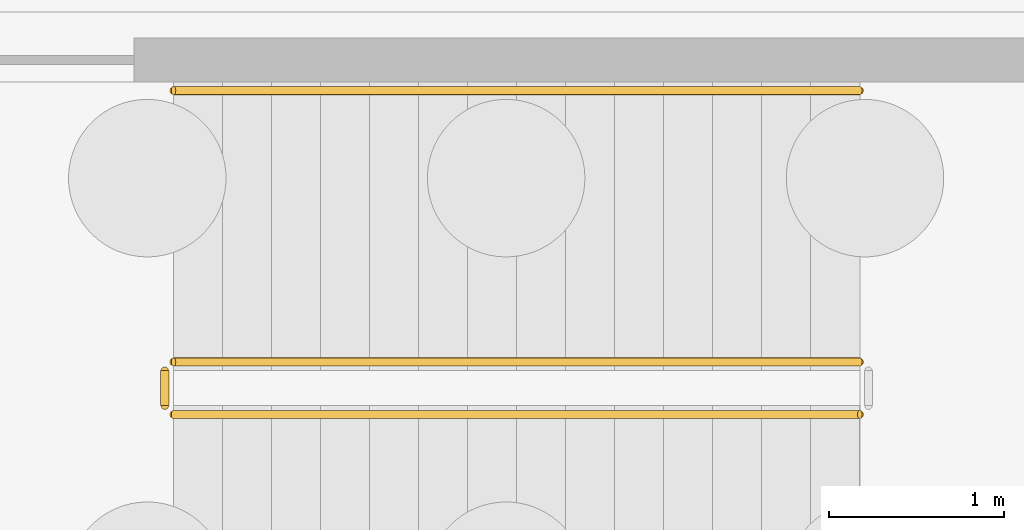
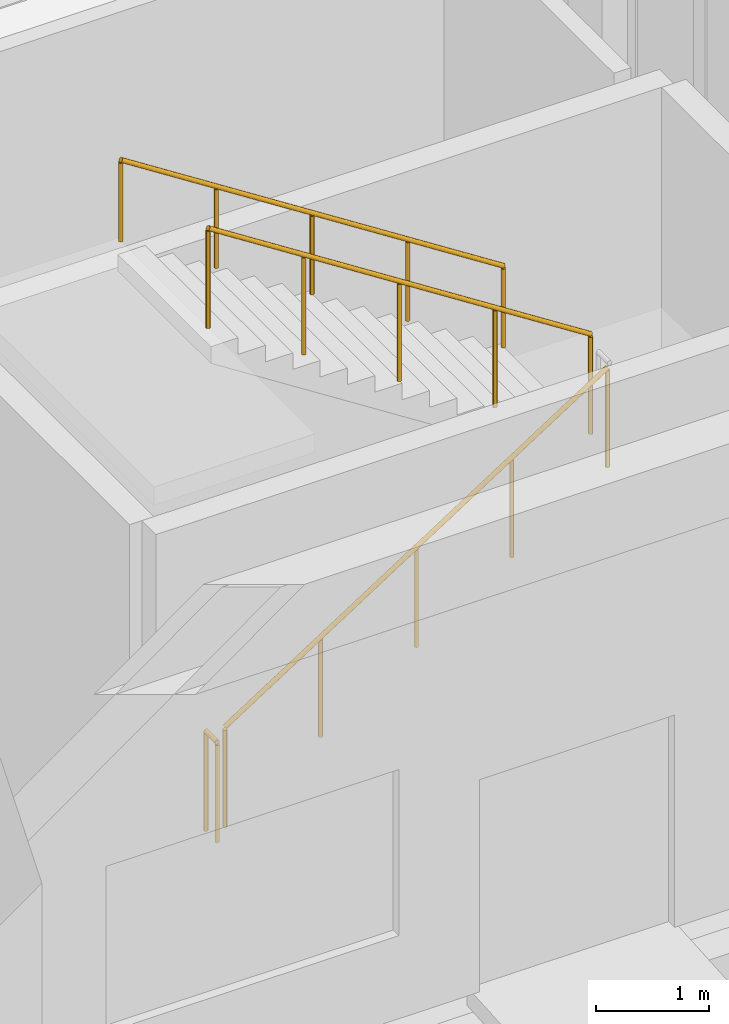
# One storey, part 176 of 188: 4 railings.
"""IFC4 building model written with IfcOpenShell, lengths in metres."""

from ifc_helpers import new_model, si_unit, direction, frame, origin, origin_2d, place, context, subcontext, project, spatial, circle, extrude, material, type_object, element, save


model = new_model("IFC4")

# Units and contexts
model_context = context("Model", 3, precision=1e-05, world=origin(), true_north=direction((0.0, 1.0)))
body_context = subcontext(model_context, "Body", "Model", "MODEL_VIEW")
ifc_project = project(units=[si_unit("LENGTHUNIT", "METRE"), si_unit("AREAUNIT", "SQUARE_METRE"), si_unit("VOLUMEUNIT", "CUBIC_METRE"), si_unit("PLANEANGLEUNIT", "RADIAN"), si_unit("MASSUNIT", "GRAM", prefix="KILO")], contexts=[model_context])

# Site, building, storey
site_placement = place(None, origin())
site = spatial("IfcSite", under=ifc_project, at=site_placement, CompositionType="ELEMENT")
building_placement = place(site_placement, origin())
building = spatial("IfcBuilding", under=site, at=building_placement, Name="Pandanus Reach Market Hall", CompositionType="ELEMENT")
storey_placement = place(building_placement, origin())
storey = spatial("IfcBuildingStorey", under=building, at=storey_placement, Name="L00", CompositionType="ELEMENT", Elevation=0.0)

# Railings
ifc_material_1 = material(Name="Galvanised steel Grade 350 (350 MPa)", Category="steel")
railing_type_1 = type_object("IfcRailingType", Name="GR-INT-110", PredefinedType="GUARDRAIL", material=ifc_material_1)
railing_1_placement = place(storey_placement, frame((124.199951171875, 31.800048828125, 0.179931640625)))
element("IfcRailing", 1, at=railing_1_placement, inside=storey, type_object=railing_type_1, Name="Stair guard ST-08 L00.140", PredefinedType="GUARDRAIL", context=body_context, shape_type="SweptSolid", body=[
    extrude(circle(Radius=0.02392578125, at=origin_2d()), frame((0.0, 0.0, 1.076171875), z_axis=(0.841186985886, 0.0, 0.540744352514), x_axis=(0.0, 1.0, 0.0)), (0.0, 0.0, 1.0), 4.660400390625),
    extrude(circle(Radius=0.02099609375, at=origin_2d()), origin(), (0.0, 0.0, 1.0), 1.052001953125),
    extrude(circle(Radius=0.02099609375, at=origin_2d()), frame((0.97998046875, 0.0, 0.6298828125)), (0.0, 0.0, 1.0), 1.052001953125),
    extrude(circle(Radius=0.02099609375, at=origin_2d()), frame((1.9599609375, 0.0, 1.260009765625)), (0.0, 0.0, 1.0), 1.052001953125),
    extrude(circle(Radius=0.02099609375, at=origin_2d()), frame((2.940185546875, 0.0, 1.89013671875)), (0.0, 0.0, 1.0), 1.052001953125),
    extrude(circle(Radius=0.02099609375, at=origin_2d()), frame((3.920166015625, 0.0, 2.52001953125)), (0.0, 0.0, 1.0), 1.052001953125),
])
railing_2_placement = place(storey_placement, frame((128.1201171875, 32.10009765625, 2.8798828125)))
element("IfcRailing", 2, at=railing_2_placement, inside=storey, type_object=railing_type_1, Name="Stair guard ST-08 L00.142", PredefinedType="GUARDRAIL", context=body_context, shape_type="SweptSolid", body=[
    extrude(circle(Radius=0.02392578125, at=origin_2d()), frame((0.0, 0.0, 1.076171875), z_axis=(-0.841186985886, 0.0, 0.540744352514), x_axis=(0.0, -1.0, 0.0)), (0.0, 0.0, 1.0), 4.660400390625),
    extrude(circle(Radius=0.02099609375, at=origin_2d()), origin(), (0.0, 0.0, 1.0), 1.052001953125),
    extrude(circle(Radius=0.02099609375, at=origin_2d()), frame((-0.97998046875, 0.0, 0.6298828125)), (0.0, 0.0, 1.0), 1.052001953125),
    extrude(circle(Radius=0.02099609375, at=origin_2d()), frame((-1.9599609375, 0.0, 1.260009765625)), (0.0, 0.0, 1.0), 1.052001953125),
    extrude(circle(Radius=0.02099609375, at=origin_2d()), frame((-2.940185546875, 0.0, 1.89013671875)), (0.0, 0.0, 1.0), 1.052001953125),
    extrude(circle(Radius=0.02099609375, at=origin_2d()), frame((-3.920166015625, 0.0, 2.52001953125)), (0.0, 0.0, 1.0), 1.052001953125),
])
railing_3_placement = place(storey_placement, frame((124.14990234375, 31.85009765625, 0.0)))
element("IfcRailing", 3, at=railing_3_placement, inside=storey, type_object=railing_type_1, Name="Stair guard ST-08 L00.143", PredefinedType="GUARDRAIL", context=body_context, shape_type="SweptSolid", body=[
    extrude(circle(Radius=0.02392578125, at=origin_2d()), frame((0.0, 0.0, 1.076171875), z_axis=(0.0, 1.0, 0.0), x_axis=(-1.0, 0.0, 0.0)), (0.0, 0.0, 1.0), 0.199951171875),
    extrude(circle(Radius=0.02099609375, at=origin_2d()), origin(), (0.0, 0.0, 1.0), 1.052001953125),
    extrude(circle(Radius=0.02099609375, at=origin_2d()), frame((0.0, 0.199951171875, 0.0)), (0.0, 0.0, 1.0), 1.052001953125),
])
ifc_material_2 = material(Name="Brushed stainless steel", Category="steel")
railing_type_2 = type_object("IfcRailingType", Name="HR-WAL-090", PredefinedType="HANDRAIL", material=ifc_material_2)
railing_4_placement = place(storey_placement, frame((128.1201171875, 33.64990234375, 2.8798828125)))
element("IfcRailing", 4, at=railing_4_placement, inside=storey, type_object=railing_type_2, Name="Stair handrail ST-08 L00.145", PredefinedType="HANDRAIL", context=body_context, shape_type="SweptSolid", body=[
    extrude(circle(Radius=0.02392578125, at=origin_2d()), frame((0.0, 0.0, 0.8759765625), z_axis=(-0.841186985886, 0.0, 0.540744352514), x_axis=(0.0, -1.0, 0.0)), (0.0, 0.0, 1.0), 4.660400390625),
    extrude(circle(Radius=0.02099609375, at=origin_2d()), origin(), (0.0, 0.0, 1.0), 0.851806640625),
    extrude(circle(Radius=0.02099609375, at=origin_2d()), frame((-0.97998046875, 0.0, 0.6298828125)), (0.0, 0.0, 1.0), 0.851806640625),
    extrude(circle(Radius=0.02099609375, at=origin_2d()), frame((-1.9599609375, 0.0, 1.260009765625)), (0.0, 0.0, 1.0), 0.851806640625),
    extrude(circle(Radius=0.02099609375, at=origin_2d()), frame((-2.940185546875, 0.0, 1.89013671875)), (0.0, 0.0, 1.0), 0.851806640625),
    extrude(circle(Radius=0.02099609375, at=origin_2d()), frame((-3.920166015625, 0.0, 2.52001953125)), (0.0, 0.0, 1.0), 0.851806640625),
])

save(model, "model.ifc")
